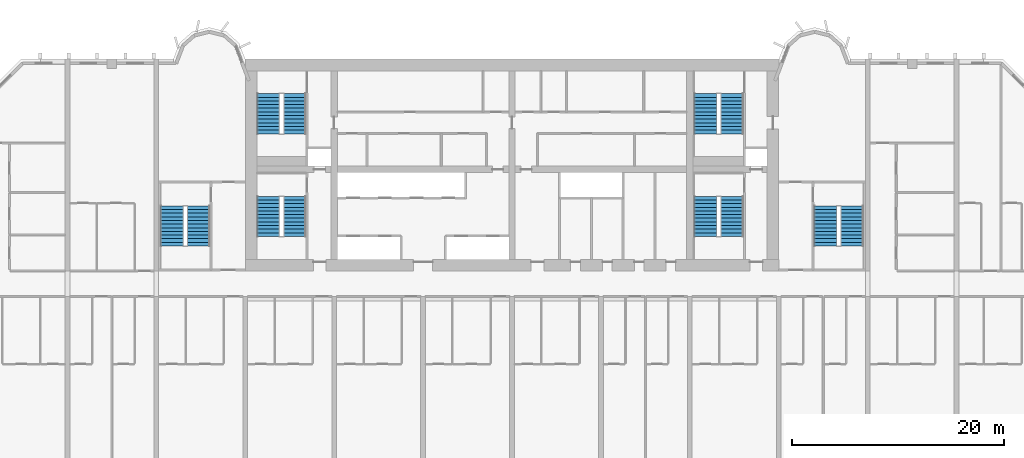
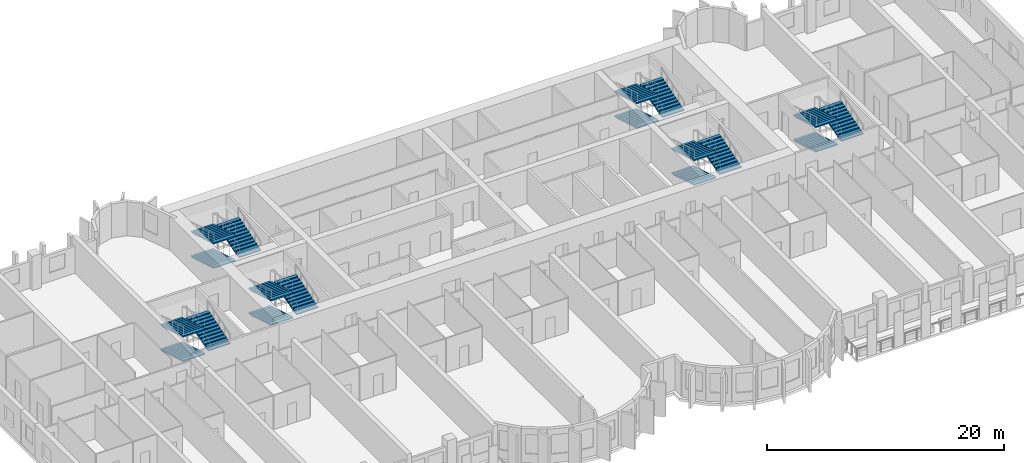
# One storey, part 12 of 15: 18 stair flights, 6 elements without a shape of their own.
"""IFC4 building model written with IfcOpenShell, lengths in metres."""

from ifc_helpers import new_model, si_unit, direction, frame, origin, place, context, subcontext, project, spatial, polyline, outline, extrude, source, transform, mapped, material, type_object, element, aggregate, save


model = new_model("IFC4")

# Units and contexts
model_context = context("Model", 3, precision=1e-05, world=origin(), true_north=direction((0.0, 1.0)))
body_context = subcontext(model_context, "Body", "Model", "MODEL_VIEW")
ifc_project = project(units=[si_unit("LENGTHUNIT", "METRE"), si_unit("AREAUNIT", "SQUARE_METRE"), si_unit("VOLUMEUNIT", "CUBIC_METRE"), si_unit("PLANEANGLEUNIT", "RADIAN"), si_unit("MASSUNIT", "GRAM", prefix="KILO")], contexts=[model_context])

# Site, building, storey
site_placement = place(None, origin())
site = spatial("IfcSite", under=ifc_project, at=site_placement, CompositionType="ELEMENT")
building_placement = place(site_placement, origin())
building = spatial("IfcBuilding", under=site, at=building_placement, Name="Vanashikhar Sky Hotel", CompositionType="ELEMENT")
storey_placement = place(building_placement, frame((0.0, 0.0, 39.199951171875)))
storey = spatial("IfcBuildingStorey", under=building, at=storey_placement, Name="L08", CompositionType="ELEMENT", Elevation=39.199951171875)

# Stair, stair flights
ifc_material = material(Name="Concrete M40", Category="concrete")
stair_type = type_object("IfcStairType", Name="Exit stair 2150", PredefinedType="DOUBLE_RETURN_STAIR", material=ifc_material)
stair_1_placement = place(storey_placement, origin())
stair_1 = element("IfcStair", 1, at=stair_1_placement, inside=storey, type_object=stair_type, Name="L08 Exit stair 1", PredefinedType="DOUBLE_RETURN_STAIR")
stair_flight_type = type_object("IfcStairFlightType", Name="Stair flight 2150", PredefinedType="STRAIGHT", material=ifc_material)
shared_shape = source(origin(), body_context, "Body", "SweptSolid", [
    extrude(outline(polyline([(0.0, 0.0), (0.0, 0.10546875), (0.345458984375, 0.10546875), (0.345458984375, 0.211181640625), (0.69091796875, 0.211181640625), (0.69091796875, 0.316650390625), (1.036376953125, 0.316650390625), (1.036376953125, 0.422119140625), (1.3818359375, 0.422119140625), (1.3818359375, 0.52783203125), (1.727294921875, 0.52783203125), (1.727294921875, 0.63330078125), (2.07275390625, 0.63330078125), (2.07275390625, 0.73876953125), (2.418212890625, 0.73876953125), (2.418212890625, 0.844482421875), (2.763671875, 0.844482421875), (2.763671875, 0.949951171875), (3.109130859375, 0.949951171875), (3.109130859375, 1.0556640625), (3.45458984375, 1.0556640625), (3.45458984375, 1.1611328125), (3.800048828125, 1.1611328125), (3.800048828125, 1.2666015625), (3.800048828125, 1.035400390625), (0.4111328125, 0.0), (0.0, 0.0)])), frame((0.0, 1.074951171875, 0.0), z_axis=(0.0, -1.0, 0.0), x_axis=(1.0, 0.0, 0.0)), (0.0, 0.0, 1.0), 2.14990234375),
])
stair_flight_1_placement = place(storey_placement, frame((27.375, 29.050048828125, 0.0), z_axis=(0.0, 0.0, 1.0), x_axis=(0.0, -1.0, 0.0)))
stair_flight_1 = element("IfcStairFlight", 2, at=stair_flight_1_placement, type_object=stair_flight_type, Name="ST-C1 flight 1", NumberOfRisers=12, NumberOfTreads=11, PredefinedType="STRAIGHT", RiserHeight=0.105555556, TreadLength=0.345454545, context=body_context, shape_type="MappedRepresentation", body=[
    mapped(shared_shape, transform((0.0, 0.0, 0.0), scale=1.0)),
])
stair_flight_2_placement = place(storey_placement, frame((29.875, 25.25, 1.2666015625), z_axis=(0.0, 0.0, 1.0), x_axis=(0.0, 1.0, 0.0)))
stair_flight_2 = element("IfcStairFlight", 3, at=stair_flight_2_placement, type_object=stair_flight_type, Name="ST-C1 flight 2", NumberOfRisers=12, NumberOfTreads=11, PredefinedType="STRAIGHT", RiserHeight=0.105555556, TreadLength=0.345454545, context=body_context, shape_type="MappedRepresentation", body=[
    mapped(shared_shape, transform((0.0, 0.0, 0.0), scale=1.0)),
])
stair_flight_3_placement = place(storey_placement, frame((27.375, 29.050048828125, 2.533447265625), z_axis=(0.0, 0.0, 1.0), x_axis=(0.0, -1.0, 0.0)))
stair_flight_3 = element("IfcStairFlight", 4, at=stair_flight_3_placement, type_object=stair_flight_type, Name="ST-C1 flight 3", NumberOfRisers=12, NumberOfTreads=11, PredefinedType="STRAIGHT", RiserHeight=0.105555556, TreadLength=0.345454545, context=body_context, shape_type="MappedRepresentation", body=[
    mapped(shared_shape, transform((0.0, 0.0, 0.0), scale=1.0)),
])
aggregate(stair_1, [stair_flight_1, stair_flight_2, stair_flight_3])

stair_2_placement = place(storey_placement, origin())
stair_2 = element("IfcStair", 5, at=stair_2_placement, inside=storey, type_object=stair_type, Name="L08 Exit stair 2", PredefinedType="DOUBLE_RETURN_STAIR")
stair_flight_4_placement = place(storey_placement, frame((68.675048828125, 29.050048828125, 0.0), z_axis=(0.0, 0.0, 1.0), x_axis=(0.0, -1.0, 0.0)))
stair_flight_4 = element("IfcStairFlight", 6, at=stair_flight_4_placement, type_object=stair_flight_type, Name="ST-C2 flight 1", NumberOfRisers=12, NumberOfTreads=11, PredefinedType="STRAIGHT", RiserHeight=0.105555556, TreadLength=0.345454545, context=body_context, shape_type="MappedRepresentation", body=[
    mapped(shared_shape, transform((0.0, 0.0, 0.0), scale=1.0)),
])
stair_flight_5_placement = place(storey_placement, frame((71.175048828125, 25.25, 1.2666015625), z_axis=(0.0, 0.0, 1.0), x_axis=(0.0, 1.0, 0.0)))
stair_flight_5 = element("IfcStairFlight", 7, at=stair_flight_5_placement, type_object=stair_flight_type, Name="ST-C2 flight 2", NumberOfRisers=12, NumberOfTreads=11, PredefinedType="STRAIGHT", RiserHeight=0.105555556, TreadLength=0.345454545, context=body_context, shape_type="MappedRepresentation", body=[
    mapped(shared_shape, transform((0.0, 0.0, 0.0), scale=1.0)),
])
stair_flight_6_placement = place(storey_placement, frame((68.675048828125, 29.050048828125, 2.533447265625), z_axis=(0.0, 0.0, 1.0), x_axis=(0.0, -1.0, 0.0)))
stair_flight_6 = element("IfcStairFlight", 8, at=stair_flight_6_placement, type_object=stair_flight_type, Name="ST-C2 flight 3", NumberOfRisers=12, NumberOfTreads=11, PredefinedType="STRAIGHT", RiserHeight=0.105555556, TreadLength=0.345454545, context=body_context, shape_type="MappedRepresentation", body=[
    mapped(shared_shape, transform((0.0, 0.0, 0.0), scale=1.0)),
])
aggregate(stair_2, [stair_flight_4, stair_flight_5, stair_flight_6])

stair_3_placement = place(storey_placement, origin())
stair_3 = element("IfcStair", 9, at=stair_3_placement, inside=storey, type_object=stair_type, Name="L08 Exit stair 3", PredefinedType="DOUBLE_RETURN_STAIR")
stair_flight_7_placement = place(storey_placement, frame((18.27490234375, 28.14990234375, 0.0), z_axis=(0.0, 0.0, 1.0), x_axis=(0.0, -1.0, 0.0)))
stair_flight_7 = element("IfcStairFlight", 10, at=stair_flight_7_placement, type_object=stair_flight_type, Name="ST-W flight 1", NumberOfRisers=12, NumberOfTreads=11, PredefinedType="STRAIGHT", RiserHeight=0.105555556, TreadLength=0.345454545, context=body_context, shape_type="MappedRepresentation", body=[
    mapped(shared_shape, transform((0.0, 0.0, 0.0), scale=1.0)),
])
stair_flight_8_placement = place(storey_placement, frame((20.77490234375, 24.35009765625, 1.2666015625), z_axis=(0.0, 0.0, 1.0), x_axis=(0.0, 1.0, 0.0)))
stair_flight_8 = element("IfcStairFlight", 11, at=stair_flight_8_placement, type_object=stair_flight_type, Name="ST-W flight 2", NumberOfRisers=12, NumberOfTreads=11, PredefinedType="STRAIGHT", RiserHeight=0.105555556, TreadLength=0.345454545, context=body_context, shape_type="MappedRepresentation", body=[
    mapped(shared_shape, transform((0.0, 0.0, 0.0), scale=1.0)),
])
stair_flight_9_placement = place(storey_placement, frame((18.27490234375, 28.14990234375, 2.533447265625), z_axis=(0.0, 0.0, 1.0), x_axis=(0.0, -1.0, 0.0)))
stair_flight_9 = element("IfcStairFlight", 12, at=stair_flight_9_placement, type_object=stair_flight_type, Name="ST-W flight 3", NumberOfRisers=12, NumberOfTreads=11, PredefinedType="STRAIGHT", RiserHeight=0.105555556, TreadLength=0.345454545, context=body_context, shape_type="MappedRepresentation", body=[
    mapped(shared_shape, transform((0.0, 0.0, 0.0), scale=1.0)),
])
aggregate(stair_3, [stair_flight_7, stair_flight_8, stair_flight_9])

stair_4_placement = place(storey_placement, origin())
stair_4 = element("IfcStair", 13, at=stair_4_placement, inside=storey, type_object=stair_type, Name="L08 Exit stair 4", PredefinedType="DOUBLE_RETURN_STAIR")
stair_flight_10_placement = place(storey_placement, frame((80.02490234375, 28.14990234375, 0.0), z_axis=(0.0, 0.0, 1.0), x_axis=(0.0, -1.0, 0.0)))
stair_flight_10 = element("IfcStairFlight", 14, at=stair_flight_10_placement, type_object=stair_flight_type, Name="ST-E flight 1", NumberOfRisers=12, NumberOfTreads=11, PredefinedType="STRAIGHT", RiserHeight=0.105555556, TreadLength=0.345454545, context=body_context, shape_type="MappedRepresentation", body=[
    mapped(shared_shape, transform((0.0, 0.0, 0.0), scale=1.0)),
])
stair_flight_11_placement = place(storey_placement, frame((82.52490234375, 24.35009765625, 1.2666015625), z_axis=(0.0, 0.0, 1.0), x_axis=(0.0, 1.0, 0.0)))
stair_flight_11 = element("IfcStairFlight", 15, at=stair_flight_11_placement, type_object=stair_flight_type, Name="ST-E flight 2", NumberOfRisers=12, NumberOfTreads=11, PredefinedType="STRAIGHT", RiserHeight=0.105555556, TreadLength=0.345454545, context=body_context, shape_type="MappedRepresentation", body=[
    mapped(shared_shape, transform((0.0, 0.0, 0.0), scale=1.0)),
])
stair_flight_12_placement = place(storey_placement, frame((80.02490234375, 28.14990234375, 2.533447265625), z_axis=(0.0, 0.0, 1.0), x_axis=(0.0, -1.0, 0.0)))
stair_flight_12 = element("IfcStairFlight", 16, at=stair_flight_12_placement, type_object=stair_flight_type, Name="ST-E flight 3", NumberOfRisers=12, NumberOfTreads=11, PredefinedType="STRAIGHT", RiserHeight=0.105555556, TreadLength=0.345454545, context=body_context, shape_type="MappedRepresentation", body=[
    mapped(shared_shape, transform((0.0, 0.0, 0.0), scale=1.0)),
])
aggregate(stair_4, [stair_flight_10, stair_flight_11, stair_flight_12])

stair_5_placement = place(storey_placement, origin())
stair_5 = element("IfcStair", 17, at=stair_5_placement, inside=storey, type_object=stair_type, Name="L08 Exit stair 5", PredefinedType="DOUBLE_RETURN_STAIR")
stair_flight_13_placement = place(storey_placement, frame((27.375, 38.75, 0.0), z_axis=(0.0, 0.0, 1.0), x_axis=(0.0, -1.0, 0.0)))
stair_flight_13 = element("IfcStairFlight", 18, at=stair_flight_13_placement, type_object=stair_flight_type, Name="ST-C3 flight 1", NumberOfRisers=12, NumberOfTreads=11, PredefinedType="STRAIGHT", RiserHeight=0.105555556, TreadLength=0.345454545, context=body_context, shape_type="MappedRepresentation", body=[
    mapped(shared_shape, transform((0.0, 0.0, 0.0), scale=1.0)),
])
stair_flight_14_placement = place(storey_placement, frame((29.875, 34.949951171875, 1.2666015625), z_axis=(0.0, 0.0, 1.0), x_axis=(0.0, 1.0, 0.0)))
stair_flight_14 = element("IfcStairFlight", 19, at=stair_flight_14_placement, type_object=stair_flight_type, Name="ST-C3 flight 2", NumberOfRisers=12, NumberOfTreads=11, PredefinedType="STRAIGHT", RiserHeight=0.105555556, TreadLength=0.345454545, context=body_context, shape_type="MappedRepresentation", body=[
    mapped(shared_shape, transform((0.0, 0.0, 0.0), scale=1.0)),
])
stair_flight_15_placement = place(storey_placement, frame((27.375, 38.75, 2.533447265625), z_axis=(0.0, 0.0, 1.0), x_axis=(0.0, -1.0, 0.0)))
stair_flight_15 = element("IfcStairFlight", 20, at=stair_flight_15_placement, type_object=stair_flight_type, Name="ST-C3 flight 3", NumberOfRisers=12, NumberOfTreads=11, PredefinedType="STRAIGHT", RiserHeight=0.105555556, TreadLength=0.345454545, context=body_context, shape_type="MappedRepresentation", body=[
    mapped(shared_shape, transform((0.0, 0.0, 0.0), scale=1.0)),
])
aggregate(stair_5, [stair_flight_13, stair_flight_14, stair_flight_15])

stair_6_placement = place(storey_placement, origin())
stair_6 = element("IfcStair", 21, at=stair_6_placement, inside=storey, type_object=stair_type, Name="L08 Exit stair 6", PredefinedType="DOUBLE_RETURN_STAIR")
stair_flight_16_placement = place(storey_placement, frame((68.675048828125, 38.75, 0.0), z_axis=(0.0, 0.0, 1.0), x_axis=(0.0, -1.0, 0.0)))
stair_flight_16 = element("IfcStairFlight", 22, at=stair_flight_16_placement, type_object=stair_flight_type, Name="ST-C4 flight 1", NumberOfRisers=12, NumberOfTreads=11, PredefinedType="STRAIGHT", RiserHeight=0.105555556, TreadLength=0.345454545, context=body_context, shape_type="MappedRepresentation", body=[
    mapped(shared_shape, transform((0.0, 0.0, 0.0), scale=1.0)),
])
stair_flight_17_placement = place(storey_placement, frame((71.175048828125, 34.949951171875, 1.2666015625), z_axis=(0.0, 0.0, 1.0), x_axis=(0.0, 1.0, 0.0)))
stair_flight_17 = element("IfcStairFlight", 23, at=stair_flight_17_placement, type_object=stair_flight_type, Name="ST-C4 flight 2", NumberOfRisers=12, NumberOfTreads=11, PredefinedType="STRAIGHT", RiserHeight=0.105555556, TreadLength=0.345454545, context=body_context, shape_type="MappedRepresentation", body=[
    mapped(shared_shape, transform((0.0, 0.0, 0.0), scale=1.0)),
])
stair_flight_18_placement = place(storey_placement, frame((68.675048828125, 38.75, 2.533447265625), z_axis=(0.0, 0.0, 1.0), x_axis=(0.0, -1.0, 0.0)))
stair_flight_18 = element("IfcStairFlight", 24, at=stair_flight_18_placement, type_object=stair_flight_type, Name="ST-C4 flight 3", NumberOfRisers=12, NumberOfTreads=11, PredefinedType="STRAIGHT", RiserHeight=0.105555556, TreadLength=0.345454545, context=body_context, shape_type="MappedRepresentation", body=[
    mapped(shared_shape, transform((0.0, 0.0, 0.0), scale=1.0)),
])
aggregate(stair_6, [stair_flight_16, stair_flight_17, stair_flight_18])

save(model, "model.ifc")
